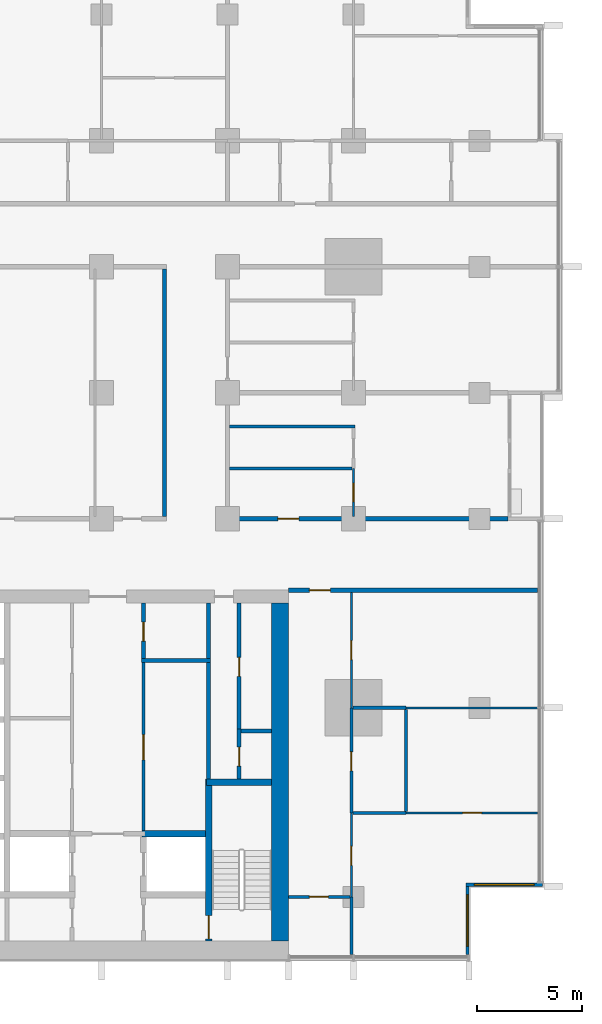
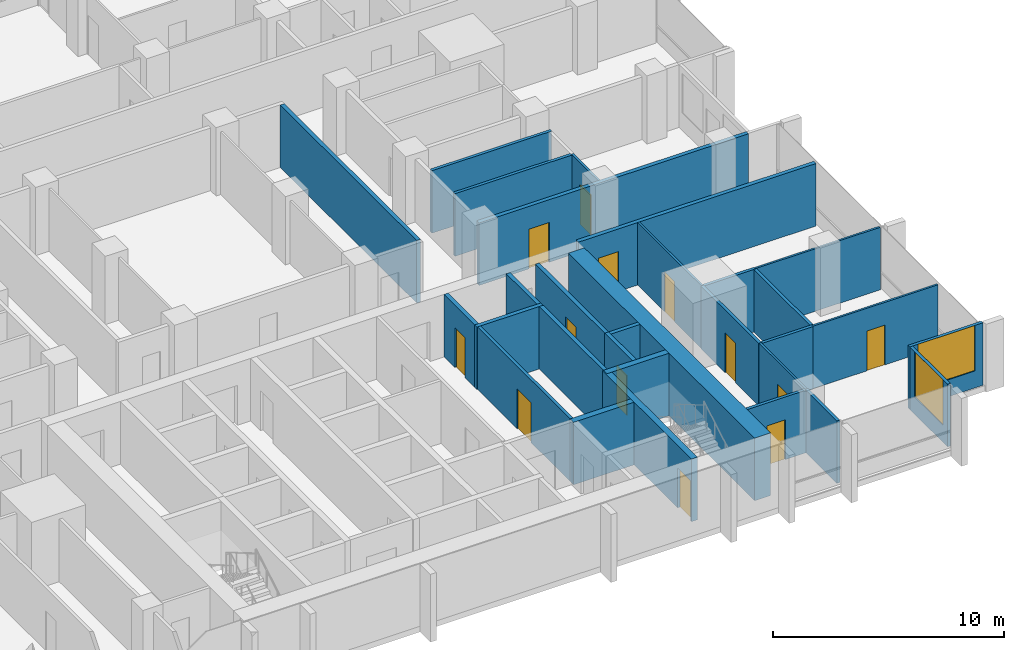
# One storey, part 9 of 17: 30 walls, 13 doors, 2 windows, 15 openings.
"""IFC4 building model written with IfcOpenShell, lengths in metres."""

from ifc_helpers import new_model, si_unit, direction, frame, frame_2d, origin, place, context, subcontext, project, spatial, rectangle, extrude, material, layer, layer_set, type_object, element, fill, save


model = new_model("IFC4")

# Units and contexts
model_context = context("Model", 3, precision=1e-05, world=origin(), true_north=direction((0.0, 1.0)))
body_context = subcontext(model_context, "Body", "Model", "MODEL_VIEW")
ifc_project = project(units=[si_unit("LENGTHUNIT", "METRE"), si_unit("AREAUNIT", "SQUARE_METRE"), si_unit("VOLUMEUNIT", "CUBIC_METRE"), si_unit("PLANEANGLEUNIT", "RADIAN"), si_unit("MASSUNIT", "GRAM", prefix="KILO")], contexts=[model_context])

# Site, building, storey
site_placement = place(None, origin())
site = spatial("IfcSite", under=ifc_project, at=site_placement, CompositionType="ELEMENT")
building_placement = place(site_placement, origin())
building = spatial("IfcBuilding", under=site, at=building_placement, Name="Finial Court Residences", CompositionType="ELEMENT")
storey_placement = place(building_placement, frame((0.0, 0.0, 120.699951171875)))
storey = spatial("IfcBuildingStorey", under=building, at=storey_placement, Name="L30", CompositionType="ELEMENT", Elevation=120.699951171875)

# Wall
ifc_material_1 = material(Name="Concrete C70/85", Category="concrete")
ifc_layer_1 = layer(ifc_material_1, 0.800048828125)
ifc_layer_set_1 = layer_set([ifc_layer_1], Name="Core outer wall 800 Concrete C70/85")
wall_type_1 = type_object("IfcWallType", Name="Core outer wall 800 Concrete C70/85", PredefinedType="SHEAR", material=ifc_layer_set_1)
wall_1_placement = place(storey_placement, frame((13.0, -24.60009765625, 0.0), z_axis=(0.0, 0.0, 1.0), x_axis=(0.0, 1.0, 0.0)))
element("IfcWall", 1, at=wall_1_placement, inside=storey, type_object=wall_type_1, Name="Core outer wall L30-04", PredefinedType="SHEAR", context=body_context, shape_type="SweptSolid", body=[
    extrude(rectangle(XDim=16.10009765625, YDim=0.800048828125, at=frame_2d((8.050048828125, 0.0))), origin(), (0.0, 0.0, 1.0), 3.300048828125),
])

# Wall, opening, door
ifc_material_2 = material(Name="Fire-rated gypsum board partition")
ifc_layer_2 = layer(ifc_material_2, 0.14990234375)
ifc_layer_set_2 = layer_set([ifc_layer_2], Name="Core room partition 150 EI 60")
wall_type_2 = type_object("IfcWallType", Name="Core room partition 150 EI 60", PredefinedType="PARTITIONING", material=ifc_layer_set_2)
wall_2_placement = place(storey_placement, frame((6.5, -11.35009765625, 0.0), z_axis=(0.0, 0.0, 1.0), x_axis=(0.0, -1.0, 0.0)))
wall_2 = element("IfcWall", 2, at=wall_2_placement, inside=storey, type_object=wall_type_2, Name="Core partition L30-32", PredefinedType="PARTITIONING", context=body_context, shape_type="SweptSolid", body=[
    extrude(rectangle(XDim=8.0, YDim=0.14990234375, at=frame_2d((4.0, 0.0))), origin(), (0.0, 0.0, 1.0), 3.300048828125),
])
opening_1_placement = place(wall_2_placement, frame((3.425048828125, 0.0, 0.0)))
opening_1 = element("IfcOpeningElement", 3, at=opening_1_placement, cuts=wall_2, Name="Opening L30-C14", PredefinedType="OPENING", context=body_context, shape_type="SweptSolid", body=[
    extrude(rectangle(XDim=1.199951171875, YDim=2.10009765625, at=frame_2d((0.60009765625, 1.050048828125))), frame((0.0, 0.0849609375, 0.0), z_axis=(0.0, -1.0, 0.0), x_axis=(1.0, 0.0, 0.0)), (0.0, 0.0, 1.0), 0.169921875),
])
ifc_material_3 = material(Name="Steel fire door", Category="steel")
door_type_1 = type_object("IfcDoorType", Name="Core room door 1200 x 2100 EI 60", OperationType="NOTDEFINED", PredefinedType="DOOR", material=ifc_material_3)
door_1_placement = place(opening_1_placement, origin())
door_1 = element("IfcDoor", 4, at=door_1_placement, inside=storey, type_object=door_type_1, Name="Core room door L30-C14", OperationType="SINGLE_SWING_RIGHT", OverallHeight=2.10009765625, OverallWidth=1.199951171875, PredefinedType="DOOR", context=body_context, shape_type="SweptSolid", body=[
    extrude(rectangle(XDim=1.199951171875, YDim=2.10009765625, at=frame_2d((0.60009765625, 1.050048828125))), frame((0.0, 0.02490234375, 0.0), z_axis=(0.0, -1.0, 0.0), x_axis=(1.0, 0.0, 0.0)), (0.0, 0.0, 1.0), 0.050048828125),
])
fill(opening_1, door_1)

ifc_material_4 = material(Name="Gypsum board")
ifc_layer_3 = layer(ifc_material_4, 0.02490234375)
ifc_material_5 = material(Name="Acoustic mineral wool in double frame")
ifc_layer_4 = layer(ifc_material_5, 0.14990234375)
ifc_layer_5 = layer(ifc_material_4, 0.02490234375)
ifc_layer_set_3 = layer_set([ifc_layer_3, ifc_layer_4, ifc_layer_5], Name="Corridor wall 200, 1 hour")
wall_type_3 = type_object("IfcWallType", Name="Corridor wall 200, 1 hour", PredefinedType="PARTITIONING", material=ifc_layer_set_3)
wall_3_placement = place(storey_placement, frame((13.39990234375, -7.89990234375, 0.0), z_axis=(0.0, 0.0, 1.0), x_axis=(1.0, 0.0, 0.0)))
wall_3 = element("IfcWall", 5, at=wall_3_placement, inside=storey, type_object=wall_type_3, Name="Partition L30-009", PredefinedType="PARTITIONING", context=body_context, shape_type="SweptSolid", body=[
    extrude(rectangle(XDim=11.85009765625, YDim=0.199951171875, at=frame_2d((5.925048828125, 0.0))), origin(), (0.0, 0.0, 1.0), 3.300048828125),
])
opening_2_placement = place(wall_3_placement, frame((1.0, 0.0, 0.0)))
opening_2 = element("IfcOpeningElement", 6, at=opening_2_placement, cuts=wall_3, Name="Opening L30-D006", PredefinedType="OPENING", context=body_context, shape_type="SweptSolid", body=[
    extrude(rectangle(XDim=1.0, YDim=2.10009765625, at=frame_2d((0.5, 1.050048828125))), frame((0.0, 0.10986328125, 0.0), z_axis=(0.0, -1.0, 0.0), x_axis=(1.0, 0.0, 0.0)), (0.0, 0.0, 1.0), 0.219970703125),
])
ifc_material_6 = material(Name="Timber door leaf in hollow metal frame", Category="wood")
door_type_2 = type_object("IfcDoorType", Name="Fire door set 1000 x 2100, 30 minutes", OperationType="SINGLE_SWING_LEFT", PredefinedType="DOOR", material=ifc_material_6)
door_2_placement = place(opening_2_placement, origin())
door_2 = element("IfcDoor", 7, at=door_2_placement, inside=storey, type_object=door_type_2, Name="Door L30-D006", OperationType="SINGLE_SWING_LEFT", OverallHeight=2.10009765625, OverallWidth=1.0, PredefinedType="DOOR", context=body_context, shape_type="SweptSolid", body=[
    extrude(rectangle(XDim=1.0, YDim=2.10009765625, at=frame_2d((0.5, 1.050048828125))), frame((0.0, 0.02490234375, 0.0), z_axis=(0.0, -1.0, 0.0), x_axis=(1.0, 0.0, 0.0)), (0.0, 0.0, 1.0), 0.050048828125),
])
fill(opening_2, door_2)

wall_4_placement = place(storey_placement, frame((10.39990234375, -4.5, 0.0), z_axis=(0.0, 0.0, 1.0), x_axis=(1.0, 0.0, 0.0)))
wall_4 = element("IfcWall", 8, at=wall_4_placement, inside=storey, type_object=wall_type_3, Name="Partition L30-012", PredefinedType="PARTITIONING", context=body_context, shape_type="SweptSolid", body=[
    extrude(rectangle(XDim=13.4501953125, YDim=0.199951171875, at=frame_2d((6.72509765625, 0.0))), origin(), (0.0, 0.0, 1.0), 3.300048828125),
])
opening_3_placement = place(wall_4_placement, frame((2.5, 0.0, 0.0)))
opening_3 = element("IfcOpeningElement", 9, at=opening_3_placement, cuts=wall_4, Name="Opening L30-D011", PredefinedType="OPENING", context=body_context, shape_type="SweptSolid", body=[
    extrude(rectangle(XDim=1.0, YDim=2.10009765625, at=frame_2d((0.5, 1.050048828125))), frame((0.0, 0.10986328125, 0.0), z_axis=(0.0, -1.0, 0.0), x_axis=(1.0, 0.0, 0.0)), (0.0, 0.0, 1.0), 0.219970703125),
])
door_3_placement = place(opening_3_placement, origin())
door_3 = element("IfcDoor", 10, at=door_3_placement, inside=storey, type_object=door_type_2, Name="Door L30-D011", OperationType="SINGLE_SWING_RIGHT", OverallHeight=2.10009765625, OverallWidth=1.0, PredefinedType="DOOR", context=body_context, shape_type="SweptSolid", body=[
    extrude(rectangle(XDim=1.0, YDim=2.10009765625, at=frame_2d((0.5, 1.050048828125))), frame((0.0, 0.02490234375, 0.0), z_axis=(0.0, -1.0, 0.0), x_axis=(1.0, 0.0, 0.0)), (0.0, 0.0, 1.0), 0.050048828125),
])
fill(opening_3, door_3)

# Wall
wall_5_placement = place(storey_placement, frame((7.5, -4.39990234375, 0.0), z_axis=(0.0, 0.0, 1.0), x_axis=(0.0, 1.0, 0.0)))
element("IfcWall", 11, at=wall_5_placement, inside=storey, type_object=wall_type_3, Name="Partition L30-066", PredefinedType="PARTITIONING", context=body_context, shape_type="SweptSolid", body=[
    extrude(rectangle(XDim=11.7998046875, YDim=0.199951171875, at=frame_2d((5.89990234375, 0.0))), origin(), (0.0, 0.0, 1.0), 3.300048828125),
])

# Wall, opening, door
ifc_layer_6 = layer(ifc_material_4, 0.012451171875)
ifc_material_7 = material(Name="Mineral wool in light-gauge frame")
ifc_layer_7 = layer(ifc_material_7, 0.074951171875)
ifc_layer_8 = layer(ifc_material_4, 0.012451171875)
ifc_layer_set_4 = layer_set([ifc_layer_6, ifc_layer_7, ifc_layer_8], Name="Gypsum board partition 100")
wall_type_4 = type_object("IfcWallType", Name="Gypsum board partition 100", PredefinedType="PARTITIONING", material=ifc_layer_set_4)
wall_6_placement = place(storey_placement, frame((19.0, -18.5, 0.0), z_axis=(0.0, 0.0, 1.0), x_axis=(1.0, 0.0, 0.0)))
wall_6 = element("IfcWall", 12, at=wall_6_placement, inside=storey, type_object=wall_type_4, Name="Partition L30-002", PredefinedType="PARTITIONING", context=body_context, shape_type="SweptSolid", body=[
    extrude(rectangle(XDim=6.25, YDim=0.10009765625, at=frame_2d((3.125, 0.0))), origin(), (0.0, 0.0, 1.0), 3.300048828125),
])
opening_4_placement = place(wall_6_placement, frame((2.699951171875, 0.0, 0.0)))
opening_4 = element("IfcOpeningElement", 13, at=opening_4_placement, cuts=wall_6, Name="Opening L30-D003", PredefinedType="OPENING", context=body_context, shape_type="SweptSolid", body=[
    extrude(rectangle(XDim=0.89990234375, YDim=2.10009765625, at=frame_2d((0.449951171875, 1.050048828125))), frame((0.0, 0.06005859375, 0.0), z_axis=(0.0, -1.0, 0.0), x_axis=(1.0, 0.0, 0.0)), (0.0, 0.0, 1.0), 0.1201171875),
])
ifc_material_8 = material(Name="Timber door leaf in timber frame", Category="wood")
door_type_3 = type_object("IfcDoorType", Name="Door set 900 x 2100", OperationType="SINGLE_SWING_LEFT", PredefinedType="DOOR", material=ifc_material_8)
door_4_placement = place(opening_4_placement, origin())
door_4 = element("IfcDoor", 14, at=door_4_placement, inside=storey, type_object=door_type_3, Name="Door L30-D003", OperationType="SINGLE_SWING_LEFT", OverallHeight=2.10009765625, OverallWidth=0.89990234375, PredefinedType="DOOR", context=body_context, shape_type="SweptSolid", body=[
    extrude(rectangle(XDim=0.89990234375, YDim=2.10009765625, at=frame_2d((0.449951171875, 1.050048828125))), frame((0.0, 0.02490234375, 0.0), z_axis=(0.0, -1.0, 0.0), x_axis=(1.0, 0.0, 0.0)), (0.0, 0.0, 1.0), 0.050048828125),
])
fill(opening_4, door_4)

# Wall
wall_7_placement = place(storey_placement, frame((19.0, -13.5, 0.0), z_axis=(0.0, 0.0, 1.0), x_axis=(1.0, 0.0, 0.0)))
element("IfcWall", 15, at=wall_7_placement, inside=storey, type_object=wall_type_4, Name="Partition L30-005", PredefinedType="PARTITIONING", context=body_context, shape_type="SweptSolid", body=[
    extrude(rectangle(XDim=6.25, YDim=0.10009765625, at=frame_2d((3.125, 0.0))), origin(), (0.0, 0.0, 1.0), 3.300048828125),
])

# Wall, opening, door
wall_8_placement = place(storey_placement, frame((16.39990234375, -22.5, 0.0), z_axis=(0.0, 0.0, 1.0), x_axis=(0.0, 1.0, 0.0)))
wall_8 = element("IfcWall", 16, at=wall_8_placement, inside=storey, type_object=wall_type_4, Name="Partition L30-072", PredefinedType="PARTITIONING", context=body_context, shape_type="SweptSolid", body=[
    extrude(rectangle(XDim=4.0, YDim=0.10009765625, at=frame_2d((2.0, 0.0))), origin(), (0.0, 0.0, 1.0), 3.300048828125),
])
opening_5_placement = place(wall_8_placement, frame((1.5, 0.0, 0.0)))
opening_5 = element("IfcOpeningElement", 17, at=opening_5_placement, cuts=wall_8, Name="Opening L30-D041", PredefinedType="OPENING", context=body_context, shape_type="SweptSolid", body=[
    extrude(rectangle(XDim=0.89990234375, YDim=2.10009765625, at=frame_2d((0.449951171875, 1.050048828125))), frame((0.0, 0.06005859375, 0.0), z_axis=(0.0, -1.0, 0.0), x_axis=(1.0, 0.0, 0.0)), (0.0, 0.0, 1.0), 0.1201171875),
])
door_5_placement = place(opening_5_placement, origin())
door_5 = element("IfcDoor", 18, at=door_5_placement, inside=storey, type_object=door_type_3, Name="Door L30-D041", OperationType="SINGLE_SWING_LEFT", OverallHeight=2.10009765625, OverallWidth=0.89990234375, PredefinedType="DOOR", context=body_context, shape_type="SweptSolid", body=[
    extrude(rectangle(XDim=0.89990234375, YDim=2.10009765625, at=frame_2d((0.449951171875, 1.050048828125))), frame((0.0, 0.02490234375, 0.0), z_axis=(0.0, -1.0, 0.0), x_axis=(1.0, 0.0, 0.0)), (0.0, 0.0, 1.0), 0.050048828125),
])
fill(opening_5, door_5)

wall_9_placement = place(storey_placement, frame((16.39990234375, -13.5, 0.0), z_axis=(0.0, 0.0, 1.0), x_axis=(0.0, 1.0, 0.0)))
wall_9 = element("IfcWall", 19, at=wall_9_placement, inside=storey, type_object=wall_type_4, Name="Partition L30-073", PredefinedType="PARTITIONING", context=body_context, shape_type="SweptSolid", body=[
    extrude(rectangle(XDim=5.5, YDim=0.10009765625, at=frame_2d((2.75, 0.0))), origin(), (0.0, 0.0, 1.0), 3.300048828125),
])
opening_6_placement = place(wall_9_placement, frame((2.300048828125, 0.0, 0.0)))
opening_6 = element("IfcOpeningElement", 20, at=opening_6_placement, cuts=wall_9, Name="Opening L30-D042", PredefinedType="OPENING", context=body_context, shape_type="SweptSolid", body=[
    extrude(rectangle(XDim=0.89990234375, YDim=2.10009765625, at=frame_2d((0.449951171875, 1.050048828125))), frame((0.0, 0.06005859375, 0.0), z_axis=(0.0, -1.0, 0.0), x_axis=(1.0, 0.0, 0.0)), (0.0, 0.0, 1.0), 0.1201171875),
])
door_6_placement = place(opening_6_placement, origin())
door_6 = element("IfcDoor", 21, at=door_6_placement, inside=storey, type_object=door_type_3, Name="Door L30-D042", OperationType="SINGLE_SWING_RIGHT", OverallHeight=2.10009765625, OverallWidth=0.89990234375, PredefinedType="DOOR", context=body_context, shape_type="SweptSolid", body=[
    extrude(rectangle(XDim=0.89990234375, YDim=2.10009765625, at=frame_2d((0.449951171875, 1.050048828125))), frame((0.0, 0.02490234375, 0.0), z_axis=(0.0, -1.0, 0.0), x_axis=(1.0, 0.0, 0.0)), (0.0, 0.0, 1.0), 0.050048828125),
])
fill(opening_6, door_6)

wall_10_placement = place(storey_placement, frame((16.5, -4.39990234375, 0.0), z_axis=(0.0, 0.0, 1.0), x_axis=(0.0, 1.0, 0.0)))
wall_10 = element("IfcWall", 22, at=wall_10_placement, inside=storey, type_object=wall_type_4, Name="Partition L30-076", PredefinedType="PARTITIONING", context=body_context, shape_type="SweptSolid", body=[
    extrude(rectangle(XDim=2.2998046875, YDim=0.10009765625, at=frame_2d((1.14990234375, 0.0))), origin(), (0.0, 0.0, 1.0), 3.300048828125),
])
opening_7_placement = place(wall_10_placement, frame((0.699951171875, 0.0, 0.0)))
opening_7 = element("IfcOpeningElement", 23, at=opening_7_placement, cuts=wall_10, Name="Opening L30-D044", PredefinedType="OPENING", context=body_context, shape_type="SweptSolid", body=[
    extrude(rectangle(XDim=0.89990234375, YDim=2.10009765625, at=frame_2d((0.449951171875, 1.050048828125))), frame((0.0, 0.06005859375, 0.0), z_axis=(0.0, -1.0, 0.0), x_axis=(1.0, 0.0, 0.0)), (0.0, 0.0, 1.0), 0.1201171875),
])
door_7_placement = place(opening_7_placement, origin())
door_7 = element("IfcDoor", 24, at=door_7_placement, inside=storey, type_object=door_type_3, Name="Door L30-D044", OperationType="SINGLE_SWING_LEFT", OverallHeight=2.10009765625, OverallWidth=0.89990234375, PredefinedType="DOOR", context=body_context, shape_type="SweptSolid", body=[
    extrude(rectangle(XDim=0.89990234375, YDim=2.10009765625, at=frame_2d((0.449951171875, 1.050048828125))), frame((0.0, 0.02490234375, 0.0), z_axis=(0.0, -1.0, 0.0), x_axis=(1.0, 0.0, 0.0)), (0.0, 0.0, 1.0), 0.050048828125),
])
fill(opening_7, door_7)

ifc_material_9 = material(Name="Moisture-resistant gypsum board")
ifc_layer_9 = layer(ifc_material_9, 0.012451171875)
ifc_layer_10 = layer(ifc_material_7, 0.125)
ifc_layer_11 = layer(ifc_material_9, 0.012451171875)
ifc_layer_set_5 = layer_set([ifc_layer_9, ifc_layer_10, ifc_layer_11], Name="Gypsum board wet-area partition 150")
wall_type_5 = type_object("IfcWallType", Name="Gypsum board wet-area partition 150", PredefinedType="PARTITIONING", material=ifc_layer_set_5)
wall_11_placement = place(storey_placement, frame((13.39990234375, -22.5, 0.0), z_axis=(0.0, 0.0, 1.0), x_axis=(1.0, 0.0, 0.0)))
wall_11 = element("IfcWall", 25, at=wall_11_placement, inside=storey, type_object=wall_type_5, Name="Partition L30-001", PredefinedType="PARTITIONING", context=body_context, shape_type="SweptSolid", body=[
    extrude(rectangle(XDim=2.925048828125, YDim=0.14990234375, at=frame_2d((1.46240234375, 0.0))), origin(), (0.0, 0.0, 1.0), 3.300048828125),
])
opening_8_placement = place(wall_11_placement, frame((1.0, 0.0, 0.0)))
opening_8 = element("IfcOpeningElement", 26, at=opening_8_placement, cuts=wall_11, Name="Opening L30-D002", PredefinedType="OPENING", context=body_context, shape_type="SweptSolid", body=[
    extrude(rectangle(XDim=0.89990234375, YDim=2.10009765625, at=frame_2d((0.449951171875, 1.050048828125))), frame((0.0, 0.0849609375, 0.0), z_axis=(0.0, -1.0, 0.0), x_axis=(1.0, 0.0, 0.0)), (0.0, 0.0, 1.0), 0.169921875),
])
door_8_placement = place(opening_8_placement, origin())
door_8 = element("IfcDoor", 27, at=door_8_placement, inside=storey, type_object=door_type_3, Name="Door L30-D002", OperationType="SINGLE_SWING_RIGHT", OverallHeight=2.10009765625, OverallWidth=0.89990234375, PredefinedType="DOOR", context=body_context, shape_type="SweptSolid", body=[
    extrude(rectangle(XDim=0.89990234375, YDim=2.10009765625, at=frame_2d((0.449951171875, 1.050048828125))), frame((0.0, 0.02490234375, 0.0), z_axis=(0.0, -1.0, 0.0), x_axis=(1.0, 0.0, 0.0)), (0.0, 0.0, 1.0), 0.050048828125),
])
fill(opening_8, door_8)

# Walls
for number, where, z_axis, x_axis, name in (
    (28, (16.47509765625, -18.5, 0.0), (0.0, 0.0, 1.0), (1.0, 0.0, 0.0), "Partition L30-003"),
    (29, (16.47509765625, -13.5, 0.0), (0.0, 0.0, 1.0), (1.0, 0.0, 0.0), "Partition L30-007"),
):
    element("IfcWall", number, at=place(storey_placement, frame(where, z_axis=z_axis, x_axis=x_axis)), inside=storey, type_object=wall_type_5, Name=name, PredefinedType="PARTITIONING", context=body_context, shape_type="SweptSolid", body=[
        extrude(rectangle(XDim=2.52490234375, YDim=0.14990234375, at=frame_2d((1.262451171875, 0.0))), origin(), (0.0, 0.0, 1.0), 3.300048828125),
    ])
wall_12_placement = place(storey_placement, frame((10.60009765625, -2.10009765625, 0.0), z_axis=(0.0, 0.0, 1.0), x_axis=(1.0, 0.0, 0.0)))
element("IfcWall", 30, at=wall_12_placement, inside=storey, type_object=wall_type_5, Name="Partition L30-014", PredefinedType="PARTITIONING", context=body_context, shape_type="SweptSolid", body=[
    extrude(rectangle(XDim=5.824951171875, YDim=0.14990234375, at=frame_2d((2.91259765625, 0.0))), origin(), (0.0, 0.0, 1.0), 3.300048828125),
])
wall_13_placement = place(storey_placement, frame((10.60009765625, -0.10009765625, 0.0), z_axis=(0.0, 0.0, 1.0), x_axis=(1.0, 0.0, 0.0)))
element("IfcWall", 31, at=wall_13_placement, inside=storey, type_object=wall_type_5, Name="Partition L30-016", PredefinedType="PARTITIONING", context=body_context, shape_type="SweptSolid", body=[
    extrude(rectangle(XDim=5.974853515625, YDim=0.14990234375, at=frame_2d((2.9873046875, 0.0))), origin(), (0.0, 0.0, 1.0), 3.300048828125),
])
wall_14_placement = place(storey_placement, frame((16.39990234375, -25.25, 0.0), z_axis=(0.0, 0.0, 1.0), x_axis=(0.0, 1.0, 0.0)))
element("IfcWall", 32, at=wall_14_placement, inside=storey, type_object=wall_type_5, Name="Partition L30-074", PredefinedType="PARTITIONING", context=body_context, shape_type="SweptSolid", body=[
    extrude(rectangle(XDim=2.75, YDim=0.14990234375, at=frame_2d((1.375, 0.0))), origin(), (0.0, 0.0, 1.0), 3.300048828125),
])

# Wall, opening, door
wall_15_placement = place(storey_placement, frame((16.39990234375, -18.5, 0.0), z_axis=(0.0, 0.0, 1.0), x_axis=(0.0, 1.0, 0.0)))
wall_15 = element("IfcWall", 33, at=wall_15_placement, inside=storey, type_object=wall_type_5, Name="Partition L30-075", PredefinedType="PARTITIONING", context=body_context, shape_type="SweptSolid", body=[
    extrude(rectangle(XDim=5.0, YDim=0.14990234375, at=frame_2d((2.5, 0.0))), origin(), (0.0, 0.0, 1.0), 3.300048828125),
])
opening_9_placement = place(wall_15_placement, frame((2.0, 0.0, 0.0)))
opening_9 = element("IfcOpeningElement", 34, at=opening_9_placement, cuts=wall_15, Name="Opening L30-D043", PredefinedType="OPENING", context=body_context, shape_type="SweptSolid", body=[
    extrude(rectangle(XDim=0.89990234375, YDim=2.10009765625, at=frame_2d((0.449951171875, 1.050048828125))), frame((0.0, 0.0849609375, 0.0), z_axis=(0.0, -1.0, 0.0), x_axis=(1.0, 0.0, 0.0)), (0.0, 0.0, 1.0), 0.169921875),
])
door_9_placement = place(opening_9_placement, origin())
door_9 = element("IfcDoor", 35, at=door_9_placement, inside=storey, type_object=door_type_3, Name="Door L30-D043", OperationType="SINGLE_SWING_RIGHT", OverallHeight=2.10009765625, OverallWidth=0.89990234375, PredefinedType="DOOR", context=body_context, shape_type="SweptSolid", body=[
    extrude(rectangle(XDim=0.89990234375, YDim=2.10009765625, at=frame_2d((0.449951171875, 1.050048828125))), frame((0.0, 0.02490234375, 0.0), z_axis=(0.0, -1.0, 0.0), x_axis=(1.0, 0.0, 0.0)), (0.0, 0.0, 1.0), 0.050048828125),
])
fill(opening_9, door_9)

# Walls
wall_16_placement = place(storey_placement, frame((19.0, -18.425048828125, 0.0), z_axis=(0.0, 0.0, 1.0), x_axis=(0.0, 1.0, 0.0)))
element("IfcWall", 36, at=wall_16_placement, inside=storey, type_object=wall_type_5, Name="Partition L30-081", PredefinedType="PARTITIONING", context=body_context, shape_type="SweptSolid", body=[
    extrude(rectangle(XDim=4.85009765625, YDim=0.14990234375, at=frame_2d((2.425048828125, 0.0))), origin(), (0.0, 0.0, 1.0), 3.300048828125),
])
ifc_layer_12 = layer(ifc_material_1, 0.300048828125)
ifc_layer_set_6 = layer_set([ifc_layer_12], Name="Lift shaft and stair wall 300 Concrete C70/85")
wall_type_6 = type_object("IfcWallType", Name="Lift shaft and stair wall 300 Concrete C70/85", PredefinedType="SHEAR", material=ifc_layer_set_6)
wall_17_placement = place(storey_placement, frame((6.425048828125, -19.5, 0.0), z_axis=(0.0, 0.0, 1.0), x_axis=(1.0, 0.0, 0.0)))
element("IfcWall", 37, at=wall_17_placement, inside=storey, type_object=wall_type_6, Name="Core wall L30-09", PredefinedType="SHEAR", context=body_context, shape_type="SweptSolid", body=[
    extrude(rectangle(XDim=3.02490234375, YDim=0.300048828125, at=frame_2d((1.512451171875, 0.0))), origin(), (0.0, 0.0, 1.0), 3.300048828125),
])
wall_18_placement = place(storey_placement, frame((9.5, -17.050048828125, 0.0), z_axis=(0.0, 0.0, 1.0), x_axis=(1.0, 0.0, 0.0)))
element("IfcWall", 38, at=wall_18_placement, inside=storey, type_object=wall_type_6, Name="Core wall L30-11", PredefinedType="SHEAR", context=body_context, shape_type="SweptSolid", body=[
    extrude(rectangle(XDim=3.10009765625, YDim=0.300048828125, at=frame_2d((1.550048828125, 0.0))), origin(), (0.0, 0.0, 1.0), 3.300048828125),
])

# Wall, opening, door
wall_19_placement = place(storey_placement, frame((9.60009765625, -16.89990234375, 0.0), z_axis=(0.0, 0.0, 1.0), x_axis=(0.0, -1.0, 0.0)))
wall_19 = element("IfcWall", 39, at=wall_19_placement, inside=storey, type_object=wall_type_6, Name="Core wall L30-34", PredefinedType="SHEAR", context=body_context, shape_type="SweptSolid", body=[
    extrude(rectangle(XDim=7.7001953125, YDim=0.300048828125, at=frame_2d((3.85009765625, 0.0))), origin(), (0.0, 0.0, 1.0), 3.300048828125),
])
opening_10_placement = place(wall_19_placement, frame((6.5, 0.0, 0.0)))
opening_10 = element("IfcOpeningElement", 40, at=opening_10_placement, cuts=wall_19, Name="Opening L30-C16", PredefinedType="OPENING", context=body_context, shape_type="SweptSolid", body=[
    extrude(rectangle(XDim=1.10009765625, YDim=2.10009765625, at=frame_2d((0.550048828125, 1.050048828125))), frame((0.0, 0.159912109375, 0.0), z_axis=(0.0, -1.0, 0.0), x_axis=(1.0, 0.0, 0.0)), (0.0, 0.0, 1.0), 0.320068359375),
])
door_type_4 = type_object("IfcDoorType", Name="Stair door 1100 x 2100 EI 90", OperationType="NOTDEFINED", PredefinedType="DOOR", material=ifc_material_3)
door_10_placement = place(opening_10_placement, origin())
door_10 = element("IfcDoor", 41, at=door_10_placement, inside=storey, type_object=door_type_4, Name="Stair door L30-C16", OperationType="SINGLE_SWING_RIGHT", OverallHeight=2.10009765625, OverallWidth=1.10009765625, PredefinedType="DOOR", context=body_context, shape_type="SweptSolid", body=[
    extrude(rectangle(XDim=1.10009765625, YDim=2.10009765625, at=frame_2d((0.550048828125, 1.050048828125))), frame((0.0, 0.02490234375, 0.0), z_axis=(0.0, -1.0, 0.0), x_axis=(1.0, 0.0, 0.0)), (0.0, 0.0, 1.0), 0.050048828125),
])
fill(opening_10, door_10)

# Wall, opening, window
ifc_material_10 = material(Name="Natural limestone", Category="masonry")
ifc_layer_13 = layer(ifc_material_10, 0.14990234375)
ifc_layer_set_7 = layer_set([ifc_layer_13], Name="Limestone clad wall 150")
wall_type_7 = type_object("IfcWallType", Name="Limestone clad wall 150", PredefinedType="SOLIDWALL", material=ifc_layer_set_7)
wall_20_placement = place(storey_placement, frame((21.925048828125, -22.0, 0.0), z_axis=(0.0, 0.0, 1.0), x_axis=(0.0, -1.0, 0.0)))
wall_20 = element("IfcWall", 42, at=wall_20_placement, inside=storey, type_object=wall_type_7, Name="E-L30-NWE18", PredefinedType="SOLIDWALL", context=body_context, shape_type="SweptSolid", body=[
    extrude(rectangle(XDim=3.25, YDim=0.14990234375, at=frame_2d((1.625, 0.0))), origin(), (0.0, 0.0, 1.0), 3.300048828125),
])
opening_11_placement = place(wall_20_placement, frame((0.39990234375, 0.0, 0.89990234375)))
opening_11 = element("IfcOpeningElement", 43, at=opening_11_placement, cuts=wall_20, Name="Opening WE30-03", PredefinedType="OPENING", context=body_context, shape_type="SweptSolid", body=[
    extrude(rectangle(XDim=2.449951171875, YDim=2.39990234375, at=frame_2d((1.22509765625, 1.199951171875))), frame((0.0, 0.0849609375, 0.0), z_axis=(0.0, -1.0, 0.0), x_axis=(1.0, 0.0, 0.0)), (0.0, 0.0, 1.0), 0.169921875),
])
ifc_material_11 = material(Name="Clear low-e glass", Category="glass")
window_type_1 = type_object("IfcWindowType", Name="Corner window 2450 x 2400", PartitioningType="SINGLE_PANEL", PredefinedType="WINDOW", material=ifc_material_11)
window_1_placement = place(opening_11_placement, origin())
window_1 = element("IfcWindow", 44, at=window_1_placement, inside=storey, type_object=window_type_1, Name="E-L30-NWE18-W1", OverallHeight=2.39990234375, OverallWidth=2.449951171875, PartitioningType="SINGLE_PANEL", PredefinedType="WINDOW", context=body_context, shape_type="SweptSolid", body=[
    extrude(rectangle(XDim=2.449951171875, YDim=2.39990234375, at=frame_2d((1.22509765625, 1.199951171875))), frame((0.0, 0.030029296875, 0.0), z_axis=(0.0, -1.0, 0.0), x_axis=(1.0, 0.0, 0.0)), (0.0, 0.0, 1.0), 0.06005859375),
])
fill(opening_11, window_1)

wall_21_placement = place(storey_placement, frame((25.5, -21.925048828125, 0.0), z_axis=(0.0, 0.0, 1.0), x_axis=(-1.0, 0.0, 0.0)))
wall_21 = element("IfcWall", 45, at=wall_21_placement, inside=storey, type_object=wall_type_7, Name="E-L30-NWS19", PredefinedType="SOLIDWALL", context=body_context, shape_type="SweptSolid", body=[
    extrude(rectangle(XDim=3.64990234375, YDim=0.14990234375, at=frame_2d((1.824951171875, 0.0))), origin(), (0.0, 0.0, 1.0), 3.300048828125),
])
opening_12_placement = place(wall_21_placement, frame((0.39990234375, 0.0, 0.89990234375)))
opening_12 = element("IfcOpeningElement", 46, at=opening_12_placement, cuts=wall_21, Name="Opening WE30-04", PredefinedType="OPENING", context=body_context, shape_type="SweptSolid", body=[
    extrude(rectangle(XDim=2.85009765625, YDim=2.39990234375, at=frame_2d((1.425048828125, 1.199951171875))), frame((0.0, 0.0849609375, 0.0), z_axis=(0.0, -1.0, 0.0), x_axis=(1.0, 0.0, 0.0)), (0.0, 0.0, 1.0), 0.169921875),
])
window_type_2 = type_object("IfcWindowType", Name="Corner window 2850 x 2400", PartitioningType="SINGLE_PANEL", PredefinedType="WINDOW", material=ifc_material_11)
window_2_placement = place(opening_12_placement, origin())
window_2 = element("IfcWindow", 47, at=window_2_placement, inside=storey, type_object=window_type_2, Name="E-L30-NWS19-W1", OverallHeight=2.39990234375, OverallWidth=2.85009765625, PartitioningType="SINGLE_PANEL", PredefinedType="WINDOW", context=body_context, shape_type="SweptSolid", body=[
    extrude(rectangle(XDim=2.85009765625, YDim=2.39990234375, at=frame_2d((1.425048828125, 1.199951171875))), frame((0.0, 0.030029296875, 0.0), z_axis=(0.0, -1.0, 0.0), x_axis=(1.0, 0.0, 0.0)), (0.0, 0.0, 1.0), 0.06005859375),
])
fill(opening_12, window_2)

# Walls
ifc_layer_14 = layer(ifc_material_2, 0.199951171875)
ifc_layer_set_8 = layer_set([ifc_layer_14], Name="Riser room wall 200 EI 120")
wall_type_8 = type_object("IfcWallType", Name="Riser room wall 200 EI 120", PredefinedType="PARTITIONING", material=ifc_layer_set_8)
wall_22_placement = place(storey_placement, frame((11.14990234375, -14.60009765625, 0.0), z_axis=(0.0, 0.0, 1.0), x_axis=(1.0, 0.0, 0.0)))
element("IfcWall", 48, at=wall_22_placement, inside=storey, type_object=wall_type_8, Name="Core partition L30-14", PredefinedType="PARTITIONING", context=body_context, shape_type="SweptSolid", body=[
    extrude(rectangle(XDim=1.4501953125, YDim=0.199951171875, at=frame_2d((0.72509765625, 0.0))), origin(), (0.0, 0.0, 1.0), 3.300048828125),
])
wall_23_placement = place(storey_placement, frame((6.39990234375, -11.25, 0.0), z_axis=(0.0, 0.0, 1.0), x_axis=(1.0, 0.0, 0.0)))
element("IfcWall", 49, at=wall_23_placement, inside=storey, type_object=wall_type_8, Name="Core partition L30-20", PredefinedType="PARTITIONING", context=body_context, shape_type="SweptSolid", body=[
    extrude(rectangle(XDim=3.300048828125, YDim=0.199951171875, at=frame_2d((1.64990234375, 0.0))), origin(), (0.0, 0.0, 1.0), 3.300048828125),
])

# Wall, opening, door
wall_24_placement = place(storey_placement, frame((6.5, -8.5, 0.0), z_axis=(0.0, 0.0, 1.0), x_axis=(0.0, -1.0, 0.0)))
wall_24 = element("IfcWall", 50, at=wall_24_placement, inside=storey, type_object=wall_type_8, Name="Core partition L30-33", PredefinedType="PARTITIONING", context=body_context, shape_type="SweptSolid", body=[
    extrude(rectangle(XDim=2.64990234375, YDim=0.199951171875, at=frame_2d((1.324951171875, 0.0))), origin(), (0.0, 0.0, 1.0), 3.300048828125),
])
opening_13_placement = place(wall_24_placement, frame((0.925048828125, 0.0, 0.0)))
opening_13 = element("IfcOpeningElement", 51, at=opening_13_placement, cuts=wall_24, Name="Opening L30-C08", PredefinedType="OPENING", context=body_context, shape_type="SweptSolid", body=[
    extrude(rectangle(XDim=0.89990234375, YDim=2.10009765625, at=frame_2d((0.449951171875, 1.050048828125))), frame((0.0, 0.10986328125, 0.0), z_axis=(0.0, -1.0, 0.0), x_axis=(1.0, 0.0, 0.0)), (0.0, 0.0, 1.0), 0.219970703125),
])
door_type_5 = type_object("IfcDoorType", Name="Riser room door 900 x 2100 EI 90", OperationType="NOTDEFINED", PredefinedType="DOOR", material=ifc_material_3)
door_11_placement = place(opening_13_placement, origin())
door_11 = element("IfcDoor", 52, at=door_11_placement, inside=storey, type_object=door_type_5, Name="Riser room door L30-C08", OperationType="SINGLE_SWING_RIGHT", OverallHeight=2.10009765625, OverallWidth=0.89990234375, PredefinedType="DOOR", context=body_context, shape_type="SweptSolid", body=[
    extrude(rectangle(XDim=0.89990234375, YDim=2.10009765625, at=frame_2d((0.449951171875, 1.050048828125))), frame((0.0, 0.02490234375, 0.0), z_axis=(0.0, -1.0, 0.0), x_axis=(1.0, 0.0, 0.0)), (0.0, 0.0, 1.0), 0.050048828125),
])
fill(opening_13, door_11)

# Wall
wall_25_placement = place(storey_placement, frame((9.60009765625, -11.14990234375, 0.0), z_axis=(0.0, 0.0, 1.0), x_axis=(0.0, 1.0, 0.0)))
element("IfcWall", 53, at=wall_25_placement, inside=storey, type_object=wall_type_8, Name="Core partition L30-36", PredefinedType="PARTITIONING", context=body_context, shape_type="SweptSolid", body=[
    extrude(rectangle(XDim=2.64990234375, YDim=0.199951171875, at=frame_2d((1.324951171875, 0.0))), origin(), (0.0, 0.0, 1.0), 3.300048828125),
])

# Wall, opening, door
wall_26_placement = place(storey_placement, frame((11.050048828125, -8.5, 0.0), z_axis=(0.0, 0.0, 1.0), x_axis=(0.0, -1.0, 0.0)))
wall_26 = element("IfcWall", 54, at=wall_26_placement, inside=storey, type_object=wall_type_8, Name="Core partition L30-38", PredefinedType="PARTITIONING", context=body_context, shape_type="SweptSolid", body=[
    extrude(rectangle(XDim=6.199951171875, YDim=0.199951171875, at=frame_2d((3.10009765625, 0.0))), origin(), (0.0, 0.0, 1.0), 3.300048828125),
])
opening_14_placement = place(wall_26_placement, frame((2.60009765625, 0.0, 0.0)))
opening_14 = element("IfcOpeningElement", 55, at=opening_14_placement, cuts=wall_26, Name="Opening L30-C07", PredefinedType="OPENING", context=body_context, shape_type="SweptSolid", body=[
    extrude(rectangle(XDim=0.89990234375, YDim=2.10009765625, at=frame_2d((0.449951171875, 1.050048828125))), frame((0.0, 0.10986328125, 0.0), z_axis=(0.0, -1.0, 0.0), x_axis=(1.0, 0.0, 0.0)), (0.0, 0.0, 1.0), 0.219970703125),
])
door_12_placement = place(opening_14_placement, origin())
door_12 = element("IfcDoor", 56, at=door_12_placement, inside=storey, type_object=door_type_5, Name="Riser room door L30-C07", OperationType="SINGLE_SWING_RIGHT", OverallHeight=2.10009765625, OverallWidth=0.89990234375, PredefinedType="DOOR", context=body_context, shape_type="SweptSolid", body=[
    extrude(rectangle(XDim=0.89990234375, YDim=2.10009765625, at=frame_2d((0.449951171875, 1.050048828125))), frame((0.0, 0.02490234375, 0.0), z_axis=(0.0, -1.0, 0.0), x_axis=(1.0, 0.0, 0.0)), (0.0, 0.0, 1.0), 0.050048828125),
])
fill(opening_14, door_12)

# Wall
ifc_layer_15 = layer(ifc_material_2, 0.199951171875)
ifc_layer_set_9 = layer_set([ifc_layer_15], Name="Stair passage wall 200 EI 180")
wall_type_9 = type_object("IfcWallType", Name="Stair passage wall 200 EI 180", PredefinedType="PARTITIONING", material=ifc_layer_set_9)
wall_27_placement = place(storey_placement, frame((9.60009765625, -16.89990234375, 0.0), z_axis=(0.0, 0.0, 1.0), x_axis=(0.0, 1.0, 0.0)))
element("IfcWall", 57, at=wall_27_placement, inside=storey, type_object=wall_type_9, Name="Core partition L30-35", PredefinedType="PARTITIONING", context=body_context, shape_type="SweptSolid", body=[
    extrude(rectangle(XDim=5.75, YDim=0.199951171875, at=frame_2d((2.875, 0.0))), origin(), (0.0, 0.0, 1.0), 3.300048828125),
])

# Wall, opening, door
wall_28_placement = place(storey_placement, frame((11.050048828125, -14.5, 0.0), z_axis=(0.0, 0.0, 1.0), x_axis=(0.0, -1.0, 0.0)))
wall_28 = element("IfcWall", 58, at=wall_28_placement, inside=storey, type_object=wall_type_9, Name="Core partition L30-37", PredefinedType="PARTITIONING", context=body_context, shape_type="SweptSolid", body=[
    extrude(rectangle(XDim=2.39990234375, YDim=0.199951171875, at=frame_2d((1.199951171875, 0.0))), origin(), (0.0, 0.0, 1.0), 3.300048828125),
])
opening_15_placement = place(wall_28_placement, frame((0.875, 0.0, 0.0)))
opening_15 = element("IfcOpeningElement", 59, at=opening_15_placement, cuts=wall_28, Name="Opening L30-C11", PredefinedType="OPENING", context=body_context, shape_type="SweptSolid", body=[
    extrude(rectangle(XDim=0.89990234375, YDim=2.10009765625, at=frame_2d((0.449951171875, 1.050048828125))), frame((0.0, 0.10986328125, 0.0), z_axis=(0.0, -1.0, 0.0), x_axis=(1.0, 0.0, 0.0)), (0.0, 0.0, 1.0), 0.219970703125),
])
door_type_6 = type_object("IfcDoorType", Name="Core room door 900 x 2100 EI 60", OperationType="NOTDEFINED", PredefinedType="DOOR", material=ifc_material_3)
door_13_placement = place(opening_15_placement, origin())
door_13 = element("IfcDoor", 60, at=door_13_placement, inside=storey, type_object=door_type_6, Name="Core room door L30-C11", OperationType="SINGLE_SWING_LEFT", OverallHeight=2.10009765625, OverallWidth=0.89990234375, PredefinedType="DOOR", context=body_context, shape_type="SweptSolid", body=[
    extrude(rectangle(XDim=0.89990234375, YDim=2.10009765625, at=frame_2d((0.449951171875, 1.050048828125))), frame((0.0, 0.02490234375, 0.0), z_axis=(0.0, -1.0, 0.0), x_axis=(1.0, 0.0, 0.0)), (0.0, 0.0, 1.0), 0.050048828125),
])
fill(opening_15, door_13)

save(model, "model.ifc")
